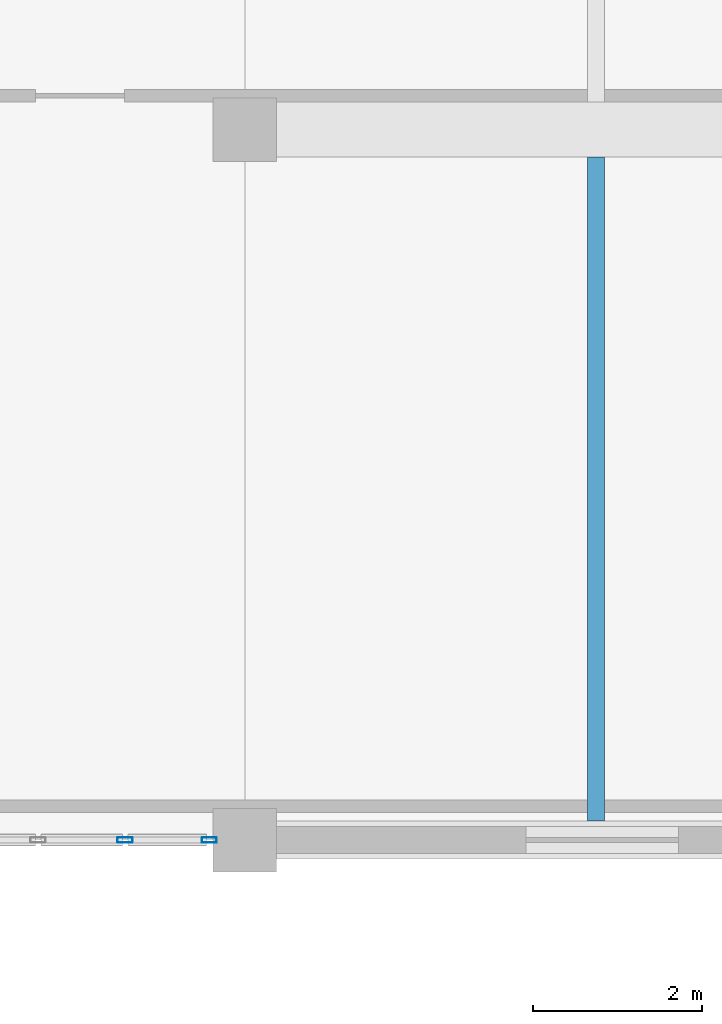
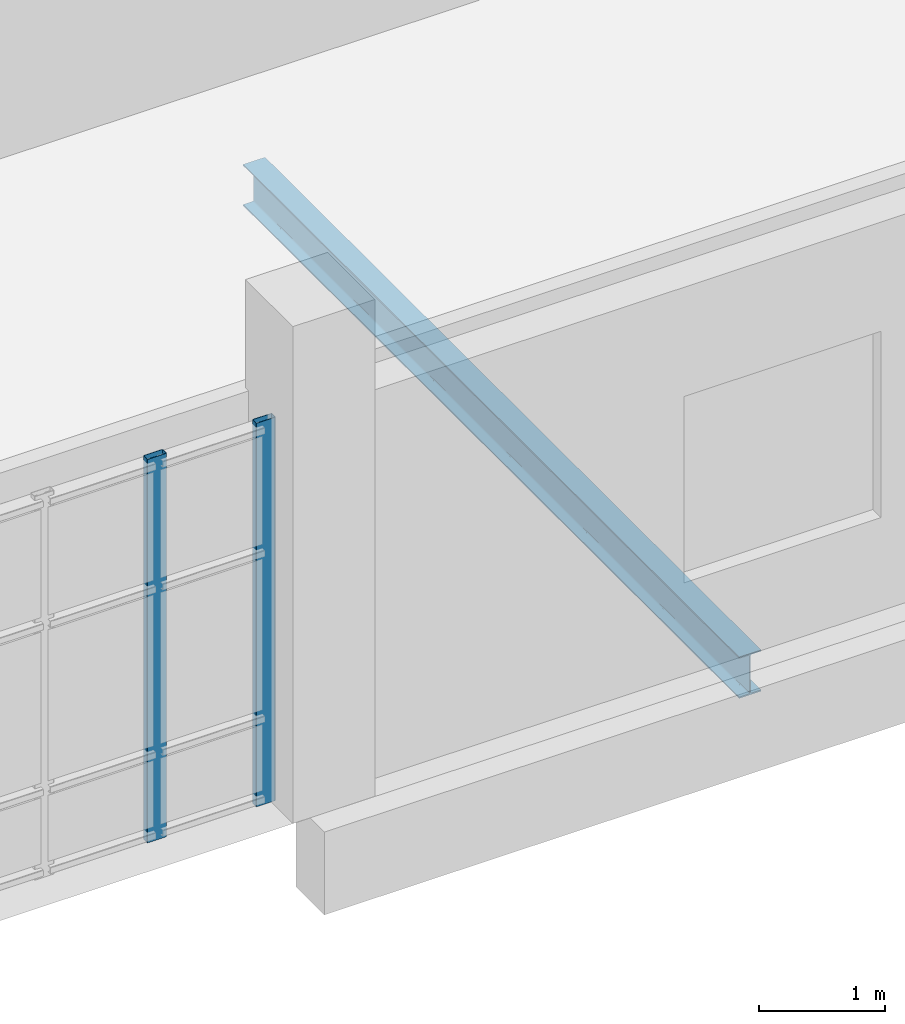
# One storey, part 57 of 106: 2 members, 1 beam, 1 element without a shape of its own.
"""IFC4 building model written with IfcOpenShell, lengths in metres."""

from ifc_helpers import new_model, si_unit, direction, frame, origin, origin_2d, place, context, subcontext, project, spatial, hollow_rectangle, i_section, extrude, material, layer, layer_set, material_profile, profile_set, type_object, element, aggregate, save


model = new_model("IFC4")

# Units and contexts
model_context = context("Model", 3, precision=1e-05, world=origin(), true_north=direction((0.0, 1.0)))
body_context = subcontext(model_context, "Body", "Model", "MODEL_VIEW")
ifc_project = project(units=[si_unit("LENGTHUNIT", "METRE"), si_unit("AREAUNIT", "SQUARE_METRE"), si_unit("VOLUMEUNIT", "CUBIC_METRE"), si_unit("PLANEANGLEUNIT", "RADIAN"), si_unit("MASSUNIT", "GRAM", prefix="KILO")], contexts=[model_context])

# Site, building, storey
site_placement = place(None, origin())
site = spatial("IfcSite", under=ifc_project, at=site_placement, CompositionType="ELEMENT")
building_placement = place(site_placement, origin())
building = spatial("IfcBuilding", under=site, at=building_placement, Name="Kisaragi Civic Commons", CompositionType="ELEMENT")
storey_placement = place(building_placement, frame((0.0, 0.0, 4.800048828125)))
storey = spatial("IfcBuildingStorey", under=building, at=storey_placement, Name="L01", CompositionType="ELEMENT", Elevation=4.800048828125)

# Curtain wall, members
ifc_material_1 = material(Name="Thermally broken anodized aluminium and low-E double glazing", Category="aluminium")
ifc_layer = layer(ifc_material_1, 0.179931640625, Name="Thermally broken anodized aluminium and low-E double glazing", Category="aluminium")
ifc_layer_set = layer_set([ifc_layer], Name="Thermally broken anodized aluminium and low-E double glazing")
curtain_wall_type = type_object("IfcCurtainWallType", Name="CW-01", PredefinedType="NOTDEFINED", material=ifc_layer_set)
curtain_wall_placement = place(storey_placement, origin())
curtain_wall = element("IfcCurtainWall", 1, at=curtain_wall_placement, inside=storey, type_object=curtain_wall_type, Name="L01 curtain wall CW-01 CW-V4-L01-073", PredefinedType="NOTDEFINED")
ifc_material_profile_1 = material_profile(ifc_material_1, hollow_rectangle(XDim=0.06494140625, YDim=0.179931640625, WallThickness=0.00439453125, InnerFilletRadius=0.00439453125, OuterFilletRadius=0.009033203125, at=origin_2d()), Name="CWM-65x180x4.5", Category="aluminium")
ifc_profile_set_1 = profile_set([ifc_material_profile_1], Name="Thermally broken anodized aluminium and low-E double glazing")
member_type = type_object("IfcMemberType", Name="CWM-02", PredefinedType="MULLION", material=ifc_profile_set_1)
member_1_placement = place(storey_placement, frame((145.9775390625, 96.0, 0.0), z_axis=(0.0, 0.0, 1.0), x_axis=(0.0, -1.0, 0.0)))
member_1 = element("IfcMember", 2, at=member_1_placement, type_object=member_type, Name="CW-01 mullion 1", PredefinedType="MULLION", context=body_context, shape_type="SweptSolid", body=[
    extrude(hollow_rectangle(XDim=0.06494140625, YDim=0.179931640625, WallThickness=0.00439453125, InnerFilletRadius=0.00439453125, OuterFilletRadius=0.009033203125, at=origin_2d()), origin(), (0.0, 0.0, 1.0), 3.704833984375),
])
member_2_placement = place(storey_placement, frame((144.981689453125, 96.0, 0.0), z_axis=(0.0, 0.0, 1.0), x_axis=(0.0, -1.0, 0.0)))
member_2 = element("IfcMember", 3, at=member_2_placement, type_object=member_type, Name="CW-01 mullion 2", PredefinedType="MULLION", context=body_context, shape_type="SweptSolid", body=[
    extrude(hollow_rectangle(XDim=0.06494140625, YDim=0.179931640625, WallThickness=0.00439453125, InnerFilletRadius=0.00439453125, OuterFilletRadius=0.009033203125, at=origin_2d()), origin(), (0.0, 0.0, 1.0), 3.704833984375),
])
aggregate(curtain_wall, [member_1, member_2])

# Beam
ifc_material_2 = material(Name="Steel SN400 (SN400B)", Category="steel")
ifc_material_profile_2 = material_profile(ifc_material_2, i_section(OverallWidth=0.199951171875, OverallDepth=0.39990234375, WebThickness=0.008056640625, FlangeThickness=0.012939453125, FilletRadius=0.012939453125, at=origin_2d()), Name="H-400x200x8x13", Category="steel")
ifc_profile_set_2 = profile_set([ifc_material_profile_2], Name="Steel SN400 (SN400B)")
beam_type = type_object("IfcBeamType", Name="J-01", PredefinedType="JOIST", material=ifc_profile_set_2)
beam_placement = place(storey_placement, frame((150.550048828125, 96.22509765625, -0.505126953125), z_axis=(0.0, 1.0, 0.0), x_axis=(-1.0, 0.0, 0.0)))
element("IfcBeam", 4, at=beam_placement, inside=storey, type_object=beam_type, Name="L01 secondary steel joist J-01 52", PredefinedType="JOIST", context=body_context, shape_type="SweptSolid", body=[
    extrude(i_section(OverallWidth=0.199951171875, OverallDepth=0.39990234375, WebThickness=0.008056640625, FlangeThickness=0.012939453125, FilletRadius=0.012939453125, at=origin_2d()), origin(), (0.0, 0.0, 1.0), 7.849853515625),
])

save(model, "model.ifc")
